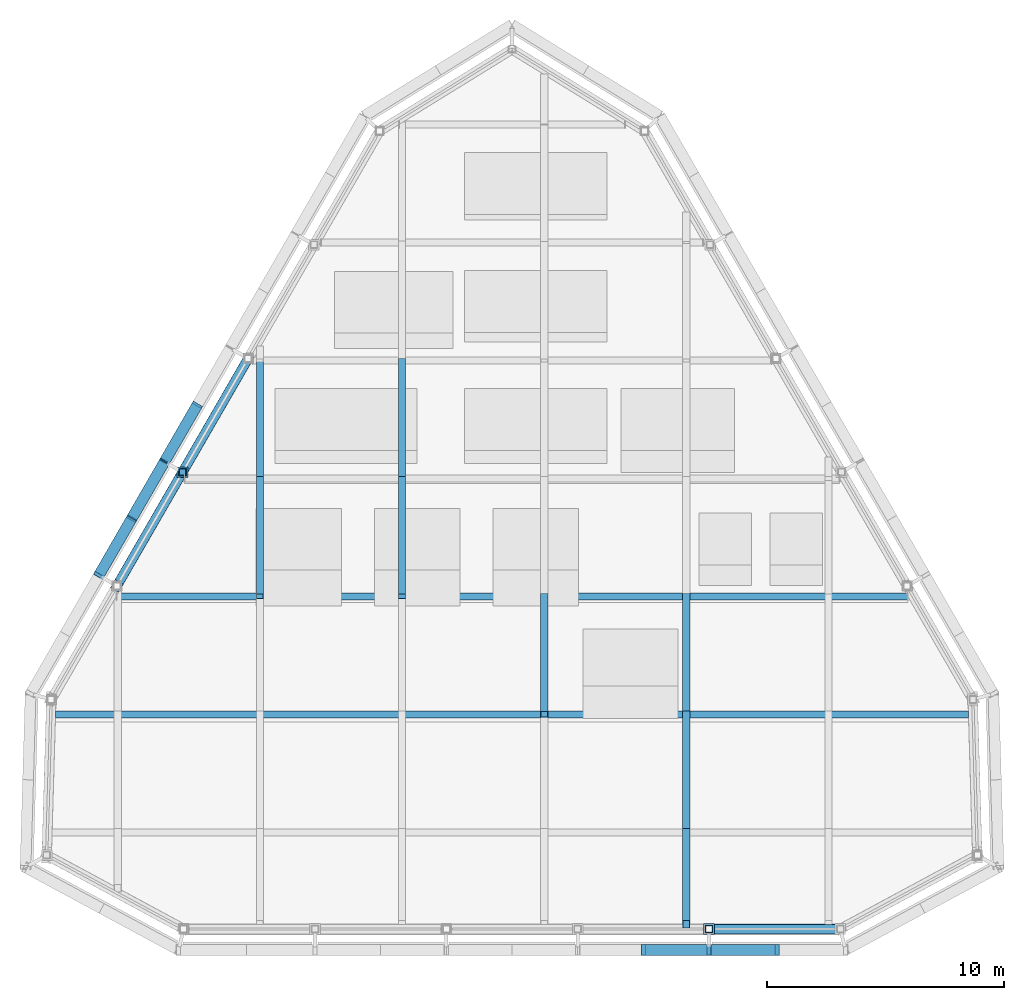
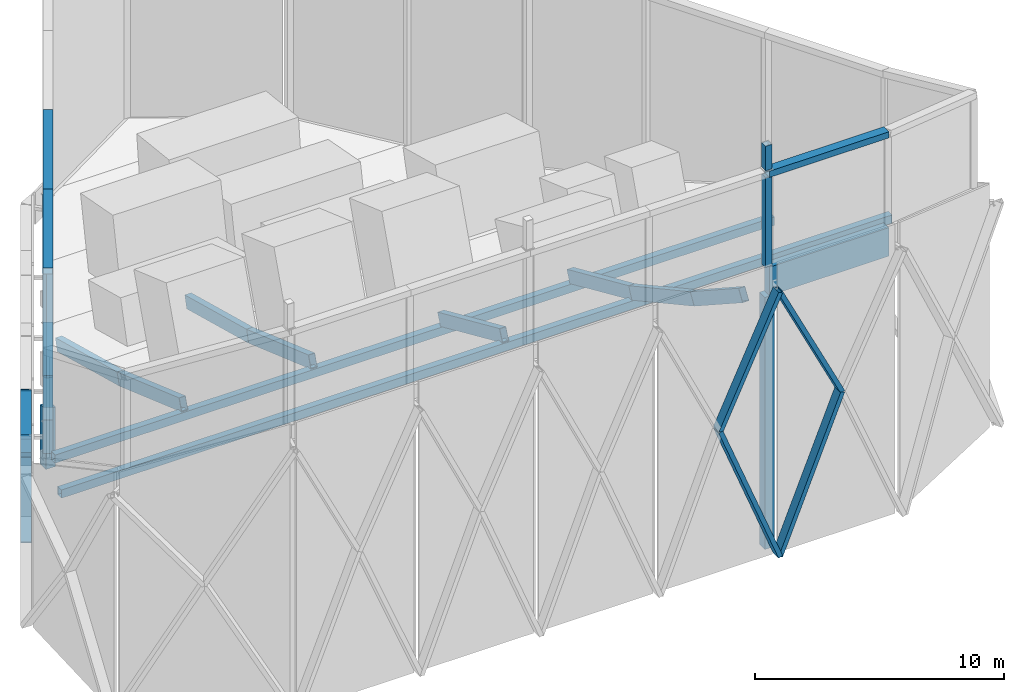
# One storey, part 2 of 13: 23 members, 8 beams.
"""IFC4 building model written with IfcOpenShell, lengths in metres."""

import ifcopenshell
import ifcopenshell.guid

model = None  # the IFC model being written
_history = None  # IfcOwnerHistory: only IFC2X3 demands one
_inside = {}  # id of a spatial element -> (the spatial element, [elements in it])
_under = {}  # id of a project, library or spatial element -> (it, [spatial elements below it])
_declared = {}  # id of a project -> (the project, [libraries it declares])
_typed = {}  # id of a type object -> (the type object, [elements of that type])
_made_of = {}  # id of a material, layer set ... -> (it, [elements and type objects made of it])


def new_model(schema):
    """Start an empty IFC model of exactly this schema.

    Asked for "IFC4X3", IfcOpenShell would pick the latest addendum, in which some entities
    have other attributes; the version numbers below select the first issue.
    IFC2X3 requires an IfcOwnerHistory on every rooted entity: one is made here for all.
    """
    global model, _history
    if schema == "IFC4X3":
        model = ifcopenshell.file(schema_version=(4, 3, 0, 0))
    else:
        model = ifcopenshell.file(schema=schema)
    _inside.clear()
    _under.clear()
    _declared.clear()
    _typed.clear()
    _made_of.clear()
    _history = None
    if model.schema == "IFC2X3":
        org = make("IfcOrganization", Name="unknown")
        user = make(
            "IfcPersonAndOrganization",
            ThePerson=make("IfcPerson", FamilyName="unknown"),
            TheOrganization=org,
        )
        app = make(
            "IfcApplication",
            ApplicationDeveloper=org,
            Version="unknown",
            ApplicationFullName="unknown",
            ApplicationIdentifier="unknown",
        )
        _history = make(
            "IfcOwnerHistory",
            OwningUser=user,
            OwningApplication=app,
            ChangeAction="ADDED",
            CreationDate=0,
        )
    return model


def make(cls, **values):
    """One entity of the class cls with the attributes given. An attribute that is None is left unset."""
    return model.create_entity(
        cls, **{name: value for name, value in values.items() if value is not None}
    )


def rooted(cls, **values):
    """An entity with a GlobalId (a new one), such as an element, a storey or a relation."""
    return make(cls, GlobalId=ifcopenshell.guid.new(), OwnerHistory=_history, **values)


def si_unit(unit_type, name, prefix=None):
    """IfcSIUnit, for example si_unit("LENGTHUNIT", "METRE", prefix="MILLI")."""
    return make("IfcSIUnit", UnitType=unit_type, Prefix=prefix, Name=name)


def assignment(units):
    """IfcUnitAssignment: the units of a project."""
    return None if units is None else make("IfcUnitAssignment", Units=units)


def point(xyz):
    """IfcCartesianPoint."""
    return None if xyz is None else make("IfcCartesianPoint", Coordinates=xyz)


def direction(xyz):
    """IfcDirection."""
    return None if xyz is None else make("IfcDirection", DirectionRatios=xyz)


def frame(location, z_axis=None, x_axis=None):
    """IfcAxis2Placement3D, a coordinate frame: its origin and axes. An axis left out is left unset."""
    return make(
        "IfcAxis2Placement3D",
        Location=point(location),
        Axis=direction(z_axis),
        RefDirection=direction(x_axis),
    )


def frame_2d(location, x_axis=None):
    """IfcAxis2Placement2D, a coordinate frame in the plane: its origin and x axis."""
    return make(
        "IfcAxis2Placement2D", Location=point(location), RefDirection=direction(x_axis)
    )


def origin():
    """The frame at (0, 0, 0) with its axes left unset."""
    return frame((0.0, 0.0, 0.0))


def origin_2d():
    """The frame at (0, 0) in the plane with its x axis left unset."""
    return frame_2d((0.0, 0.0))


def place(relative_to, where):
    """IfcLocalPlacement: puts the frame where relative to a parent placement (None: the world)."""
    return make(
        "IfcLocalPlacement", PlacementRelTo=relative_to, RelativePlacement=where
    )


def context(
    kind, dimensions, precision=None, world=None, true_north=None, identifier=None
):
    """IfcGeometricRepresentationContext, for example the 3D "Model" context."""
    return make(
        "IfcGeometricRepresentationContext",
        ContextIdentifier=identifier,
        ContextType=kind,
        CoordinateSpaceDimension=dimensions,
        Precision=precision,
        WorldCoordinateSystem=world,
        TrueNorth=true_north,
    )


def subcontext(parent, identifier, kind, view, scale=None):
    """IfcGeometricRepresentationSubContext, for example "Body" below "Model"."""
    return make(
        "IfcGeometricRepresentationSubContext",
        ContextIdentifier=identifier,
        ContextType=kind,
        ParentContext=parent,
        TargetScale=scale,
        TargetView=view,
    )


def project(units=None, contexts=None):
    """IfcProject with its units and contexts."""
    return rooted(
        "IfcProject",
        Name="project",
        RepresentationContexts=contexts,
        UnitsInContext=assignment(units),
    )


def spatial(cls, under=None, at=None, **own):
    """A site, building, storey or space (cls), placed at a placement, below another one or the project."""
    s = rooted(cls, ObjectPlacement=at, **own)
    if under is not None:
        _under.setdefault(under.id(), (under, []))[1].append(s)
    return s


def profile(cls, at=None, kind="AREA", **sizes):
    """A parametric profile (cls). Its sizes go by their IFC names, for example OverallWidth=200.0."""
    return make(cls, ProfileType=kind, Position=at, **sizes)


def rectangle(**sizes):
    """IfcRectangleProfileDef."""
    return profile("IfcRectangleProfileDef", **sizes)


def hollow_rectangle(**sizes):
    """IfcRectangleHollowProfileDef."""
    return profile("IfcRectangleHollowProfileDef", **sizes)


def extrude(swept, where, along, depth):
    """IfcExtrudedAreaSolid: the profile swept, set in the frame where, extruded along a direction by depth."""
    return make(
        "IfcExtrudedAreaSolid",
        SweptArea=swept,
        Position=where,
        ExtrudedDirection=direction(along),
        Depth=depth,
    )


def shape(context_of_items, identifier, shape_type, items):
    """IfcShapeRepresentation: the items that make up one representation, for example the "Body"."""
    return make(
        "IfcShapeRepresentation",
        ContextOfItems=context_of_items,
        RepresentationIdentifier=identifier,
        RepresentationType=shape_type,
        Items=items,
    )


def material(Name=None, Category=None):
    """IfcMaterial."""
    return make("IfcMaterial", Name=Name, Category=Category)


def material_profile(
    of_material, cross_section, Name=None, Category=None, Priority=None
):
    """IfcMaterialProfile: a cross section and its material."""
    return make(
        "IfcMaterialProfile",
        Name=Name,
        Material=of_material,
        Profile=cross_section,
        Priority=Priority,
        Category=Category,
    )


def profile_set(profiles, Name=None, composite=None):
    """IfcMaterialProfileSet."""
    return make(
        "IfcMaterialProfileSet",
        Name=Name,
        MaterialProfiles=profiles,
        CompositeProfile=composite,
    )


def made_of(thing, what):
    """Note that an element or type object is made of a material, layer set ...; save() writes the relation."""
    if what is not None:
        _made_of.setdefault(what.id(), (what, []))[1].append(thing)
    return thing


def type_object(cls, material=None, **own):
    """A type object (cls), such as IfcWallType, which elements share."""
    return made_of(rooted(cls, **own), material)


def element(
    cls,
    number,
    at=None,
    inside=None,
    cuts=None,
    type_object=None,
    material=None,
    context=None,
    identifier="Body",
    shape_type=None,
    held_by="IfcProductDefinitionShape",
    body=None,
    shapes=None,
    **own,
):
    """One element of the class cls, such as IfcWall. Its Tag is "e" and its number.

    at: its placement. inside: the storey or other place that contains it. cuts: it is an
    opening in that element (IfcRelVoidsElement). A single representation is given by context,
    identifier, shape_type and body (its items); several are given by shapes. held_by: the class
    of the entity that holds the representations. save() writes the other relations.
    """
    e = rooted(cls, Tag="e%d" % number, ObjectPlacement=at, **own)
    if body is not None:
        shapes = [shape(context, identifier, shape_type, body)]
    if shapes is not None:
        e.Representation = make(held_by, Representations=shapes)
    if inside is not None:
        _inside.setdefault(inside.id(), (inside, []))[1].append(e)
    if cuts is not None:
        rooted(
            "IfcRelVoidsElement", RelatingBuildingElement=cuts, RelatedOpeningElement=e
        )
    if type_object is not None:
        _typed.setdefault(type_object.id(), (type_object, []))[1].append(e)
    return made_of(e, material)


def aggregate(whole, parts):
    """IfcRelAggregates: a whole, such as a stair, and the parts it consists of."""
    return rooted("IfcRelAggregates", RelatingObject=whole, RelatedObjects=parts)


def save(model, path):
    """Write the relations noted so far, then the file.

    IfcRelAggregates (storeys below a building ...), IfcRelContainedInSpatialStructure (elements
    in a storey), IfcRelDefinesByType, IfcRelAssociatesMaterial and IfcRelDeclares: one each for
    every whole, place, type object, material and project.
    """
    for whole, parts in _under.values():
        aggregate(whole, parts)
    for where, things in _inside.values():
        rooted(
            "IfcRelContainedInSpatialStructure",
            RelatedElements=things,
            RelatingStructure=where,
        )
    for kind, things in _typed.values():
        rooted("IfcRelDefinesByType", RelatedObjects=things, RelatingType=kind)
    for what, things in _made_of.values():
        rooted("IfcRelAssociatesMaterial", RelatedObjects=things, RelatingMaterial=what)
    for by, libraries in _declared.values():
        rooted("IfcRelDeclares", RelatingContext=by, RelatedDefinitions=libraries)
    model.write(path)


model = new_model("IFC4")

# Units and contexts
model_context = context("Model", 3, precision=1e-05, world=origin(), true_north=direction((0.0, 1.0)))
body_context = subcontext(model_context, "Body", "Model", "MODEL_VIEW")
ifc_project = project(units=[si_unit("LENGTHUNIT", "METRE"), si_unit("AREAUNIT", "SQUARE_METRE"), si_unit("VOLUMEUNIT", "CUBIC_METRE"), si_unit("PLANEANGLEUNIT", "RADIAN"), si_unit("MASSUNIT", "GRAM", prefix="KILO")], contexts=[model_context])

# Site, building, storey
site_placement = place(None, origin())
site = spatial("IfcSite", under=ifc_project, at=site_placement, CompositionType="ELEMENT")
building_placement = place(site_placement, origin())
building = spatial("IfcBuilding", under=site, at=building_placement, Name="Firuza Gate Tower and Library", CompositionType="ELEMENT")
storey_placement = place(building_placement, frame((0.0, 0.0, 358.0)))
storey = spatial("IfcBuildingStorey", under=building, at=storey_placement, Name="Upper roof", CompositionType="ELEMENT", Elevation=358.0)

# Beams
ifc_material_1 = material(Name="Steel S355", Category="steel")
ifc_material_profile_1 = material_profile(ifc_material_1, hollow_rectangle(XDim=0.406494140625, YDim=0.3046875, WallThickness=0.01171875, at=origin_2d()))
ifc_profile_set_1 = profile_set([ifc_material_profile_1], Name="Steel S355")
beam_type_1 = type_object("IfcBeamType", Name="Crest cap beam HSS305x406x13", PredefinedType="BEAM", material=ifc_profile_set_1)
for number, where, z_axis, x_axis, name in (
    (1, (83.314208984375, 60.54248046875, 17.90625), (1.0, 0.0, 0.0), (0.0, 1.0, 0.0), "Crest cap beam 7"),
    (2, (63.865234375, 84.62890625, 13.00634765625), (-0.500004591975, -0.86602275259, 0.0), (0.86602275259, -0.500004591975, 0.0), "Crest cap beam 19"),
    (3, (61.09375, 79.82861328125, 13.00634765625), (-0.500004591975, -0.86602275259, 0.0), (0.86602275259, -0.500004591975, 0.0), "Crest cap beam 20"),
):
    element("IfcBeam", number, at=place(storey_placement, frame(where, z_axis=z_axis, x_axis=x_axis)), inside=storey, type_object=beam_type_1, Name=name, PredefinedType="BEAM", context=body_context, shape_type="SweptSolid", body=[
        extrude(hollow_rectangle(XDim=0.406494140625, YDim=0.3046875, WallThickness=0.01171875, at=origin_2d()), origin(), (0.0, 0.0, 1.0), 5.54296875),
    ])

# Members
ifc_material_2 = material(Name="Steel S355", Category="steel")
ifc_material_profile_2 = material_profile(ifc_material_2, hollow_rectangle(XDim=0.3046875, YDim=0.3046875, WallThickness=0.014892578125, at=origin_2d()))
ifc_profile_set_2 = profile_set([ifc_material_profile_2], Name="Steel S355")
member_type_1 = type_object("IfcMemberType", Name="Crest post HSS305x305x16", PredefinedType="POST", material=ifc_profile_set_2)
member_1_placement = place(storey_placement, frame((83.314208984375, 60.54248046875, 13.353759765625), z_axis=(0.0, 0.0, 1.0), x_axis=(1.0, 0.0, 0.0)))
element("IfcMember", 4, at=member_1_placement, inside=storey, type_object=member_type_1, Name="Crest post 7", PredefinedType="POST", context=body_context, shape_type="SweptSolid", body=[
    extrude(hollow_rectangle(XDim=0.3046875, YDim=0.3046875, WallThickness=0.014892578125, at=origin_2d()), origin(), (0.0, 0.0, 1.0), 4.405029296875),
])
member_2_placement = place(storey_placement, frame((61.09375, 79.82861328125, 3.922119140625), z_axis=(0.0, 0.0, 1.0), x_axis=(1.0, 0.0, 0.0)))
element("IfcMember", 5, at=member_2_placement, inside=storey, type_object=member_type_1, Name="Crest post 20", PredefinedType="POST", context=body_context, shape_type="SweptSolid", body=[
    extrude(hollow_rectangle(XDim=0.3046875, YDim=0.3046875, WallThickness=0.014892578125, at=origin_2d()), origin(), (0.0, 0.0, 1.0), 8.936767578125),
])
ifc_material_3 = material(Name="Steel S355", Category="steel")
ifc_material_profile_3 = material_profile(ifc_material_3, hollow_rectangle(XDim=0.457275390625, YDim=0.203125, WallThickness=0.01171875, at=origin_2d()))
ifc_profile_set_3 = profile_set([ifc_material_profile_3], Name="Steel S355")
member_type_2 = type_object("IfcMemberType", Name="Crown lattice bar HSS203x457x13", PredefinedType="BRACE", material=ifc_profile_set_3)
member_3_placement = place(storey_placement, frame((80.54296875, 59.663818359375, 6.779541015625), z_axis=(0.364509528919, 0.0, -0.931199658144), x_axis=(0.0, 1.0, 0.0)))
element("IfcMember", 6, at=member_3_placement, inside=storey, type_object=member_type_2, Name="Crown lattice band bar 6.1b", PredefinedType="BRACE", context=body_context, shape_type="SweptSolid", body=[
    extrude(hollow_rectangle(XDim=0.457275390625, YDim=0.203125, WallThickness=0.01171875, at=origin_2d()), origin(), (0.0, 0.0, 1.0), 7.6025390625),
])
member_4_placement = place(storey_placement, frame((80.54296875, 59.663818359375, 6.779541015625), z_axis=(0.426663925533, 0.0, 0.904410246873), x_axis=(0.0, 1.0, 0.0)))
element("IfcMember", 7, at=member_4_placement, inside=storey, type_object=member_type_2, Name="Crown lattice band bar 6.2b", PredefinedType="BRACE", context=body_context, shape_type="SweptSolid", body=[
    extrude(hollow_rectangle(XDim=0.457275390625, YDim=0.203125, WallThickness=0.01171875, at=origin_2d()), origin(), (0.0, 0.0, 1.0), 6.4951171875),
])
member_5_placement = place(storey_placement, frame((83.314208984375, 59.663818359375, -0.300048828125), z_axis=(0.377077734206, 0.0, 0.926181614137), x_axis=(0.0, 1.0, 0.0)))
element("IfcMember", 8, at=member_5_placement, inside=storey, type_object=member_type_2, Name="Crown lattice band bar 7.1a", PredefinedType="BRACE", context=body_context, shape_type="SweptSolid", body=[
    extrude(hollow_rectangle(XDim=0.457275390625, YDim=0.203125, WallThickness=0.01171875, at=origin_2d()), origin(), (0.0, 0.0, 1.0), 7.643798828125),
])
member_6_placement = place(storey_placement, frame((83.314208984375, 59.663818359375, 12.65380859375), z_axis=(0.440499893541, 0.0, -0.897752662926), x_axis=(0.0, 1.0, 0.0)))
element("IfcMember", 9, at=member_6_placement, inside=storey, type_object=member_type_2, Name="Crown lattice band bar 7.2a", PredefinedType="BRACE", context=body_context, shape_type="SweptSolid", body=[
    extrude(hollow_rectangle(XDim=0.457275390625, YDim=0.203125, WallThickness=0.01171875, at=origin_2d()), origin(), (0.0, 0.0, 1.0), 6.543212890625),
])
member_7_placement = place(storey_placement, frame((61.718505859375, 82.66796875, 1.2431640625), z_axis=(-0.436847339757, -0.756632522401, -0.486489082911), x_axis=(0.86602275259, -0.500004591975, 0.0)))
element("IfcMember", 10, at=member_7_placement, inside=storey, type_object=member_type_2, Name="Crown lattice band bar 19.1b", PredefinedType="BRACE", context=body_context, shape_type="SweptSolid", body=[
    extrude(hollow_rectangle(XDim=0.457275390625, YDim=0.203125, WallThickness=0.01171875, at=origin_2d()), origin(), (0.0, 0.0, 1.0), 3.172119140625),
])
member_8_placement = place(storey_placement, frame((61.718505859375, 82.66796875, 1.2431640625), z_axis=(-0.406912801117, -0.704785015466, 0.581119655718), x_axis=(0.86602275259, -0.500004591975, 0.0)))
element("IfcMember", 11, at=member_8_placement, inside=storey, type_object=member_type_2, Name="Crown lattice band bar 19.2b", PredefinedType="BRACE", context=body_context, shape_type="SweptSolid", body=[
    extrude(hollow_rectangle(XDim=0.457275390625, YDim=0.203125, WallThickness=0.01171875, at=origin_2d()), origin(), (0.0, 0.0, 1.0), 3.405517578125),
])
member_9_placement = place(storey_placement, frame((60.332763671875, 80.267822265625, -0.300048828125), z_axis=(-0.381472394954, -0.660654271036, 0.646540598918), x_axis=(0.866000726912, -0.500042739161, 0.0)))
element("IfcMember", 12, at=member_9_placement, inside=storey, type_object=member_type_2, Name="Crown lattice band bar 20.1a", PredefinedType="BRACE", context=body_context, shape_type="SweptSolid", body=[
    extrude(hollow_rectangle(XDim=0.457275390625, YDim=0.203125, WallThickness=0.01171875, at=origin_2d()), origin(), (0.0, 0.0, 1.0), 3.632568359375),
])
member_10_placement = place(storey_placement, frame((58.947021484375, 77.867919921875, 2.048583984375), z_axis=(-0.381455457378, -0.660692142616, -0.646511892174), x_axis=(0.86602275259, -0.500004591975, 0.0)))
element("IfcMember", 13, at=member_10_placement, inside=storey, type_object=member_type_2, Name="Crown lattice band bar 20.1b", PredefinedType="BRACE", context=body_context, shape_type="SweptSolid", body=[
    extrude(hollow_rectangle(XDim=0.457275390625, YDim=0.203125, WallThickness=0.01171875, at=origin_2d()), origin(), (0.0, 0.0, 1.0), 3.6328125),
])
member_11_placement = place(storey_placement, frame((60.332763671875, 80.267822265625, 3.22216796875), z_axis=(-0.46045539814, -0.797441255059, -0.389959319742), x_axis=(0.866000726912, -0.500042739161, 0.0)))
element("IfcMember", 14, at=member_11_placement, inside=storey, type_object=member_type_2, Name="Crown lattice band bar 20.2a", PredefinedType="BRACE", context=body_context, shape_type="SweptSolid", body=[
    extrude(hollow_rectangle(XDim=0.457275390625, YDim=0.203125, WallThickness=0.01171875, at=origin_2d()), origin(), (0.0, 0.0, 1.0), 3.009521484375),
])
member_12_placement = place(storey_placement, frame((58.947021484375, 77.867919921875, 2.048583984375), z_axis=(-0.349652753828, -0.60560891876, 0.714829202858), x_axis=(0.86602275259, -0.500004591975, 0.0)))
element("IfcMember", 15, at=member_12_placement, inside=storey, type_object=member_type_2, Name="Crown lattice band bar 20.2b", PredefinedType="BRACE", context=body_context, shape_type="SweptSolid", body=[
    extrude(hollow_rectangle(XDim=0.457275390625, YDim=0.203125, WallThickness=0.01171875, at=origin_2d()), origin(), (0.0, 0.0, 1.0), 3.963134765625),
])

# Beams
ifc_material_4 = material(Name="Concrete C60/75", Category="concrete")
ifc_material_profile_4 = material_profile(ifc_material_4, rectangle(XDim=0.39990234375, YDim=1.39990234375, at=origin_2d()))
ifc_profile_set_4 = profile_set([ifc_material_profile_4], Name="Concrete C60/75")
beam_type_2 = type_object("IfcBeamType", Name="Crown roof edge beam 400x1400", PredefinedType="BEAM", material=ifc_profile_set_4)
beam_1_placement = place(storey_placement, frame((83.314208984375, 60.54248046875, 12.65380859375), z_axis=(1.0, 0.0, 0.0), x_axis=(0.0, 1.0, 0.0)))
element("IfcBeam", 16, at=beam_1_placement, inside=storey, type_object=beam_type_2, Name="Crown roof edge beam 7", PredefinedType="BEAM", context=body_context, shape_type="SweptSolid", body=[
    extrude(rectangle(XDim=0.39990234375, YDim=1.39990234375, at=origin_2d()), origin(), (0.0, 0.0, 1.0), 5.54296875),
])
beam_2_placement = place(storey_placement, frame((63.865234375, 84.62890625, 1.952880859375), z_axis=(-0.487389101667, -0.84417234998, 0.223214934775), x_axis=(0.86602275259, -0.500004591975, 0.0)))
element("IfcBeam", 17, at=beam_2_placement, inside=storey, type_object=beam_type_2, Name="Crown roof edge beam 19", PredefinedType="BEAM", context=body_context, shape_type="SweptSolid", body=[
    extrude(rectangle(XDim=0.39990234375, YDim=1.39990234375, at=origin_2d()), origin(), (0.0, 0.0, 1.0), 5.686279296875),
])
beam_3_placement = place(storey_placement, frame((61.09375, 79.82861328125, 3.22216796875), z_axis=(-0.478999555056, -0.829641406934, 0.286800561638), x_axis=(0.86602275259, -0.500004591975, 0.0)))
element("IfcBeam", 18, at=beam_3_placement, inside=storey, type_object=beam_type_2, Name="Crown roof edge beam 20", PredefinedType="BEAM", context=body_context, shape_type="SweptSolid", body=[
    extrude(rectangle(XDim=0.39990234375, YDim=1.39990234375, at=origin_2d()), origin(), (0.0, 0.0, 1.0), 5.785888671875),
])

# Members
ifc_material_5 = material(Name="Concrete C60/75", Category="concrete")
ifc_material_profile_5 = material_profile(ifc_material_5, rectangle(XDim=0.449951171875, YDim=0.449951171875, at=origin_2d()))
ifc_profile_set_5 = profile_set([ifc_material_profile_5], Name="Concrete C60/75")
member_type_3 = type_object("IfcMemberType", Name="Crown roof post 450x450", PredefinedType="POST", material=ifc_profile_set_5)
member_13_placement = place(storey_placement, frame((83.314208984375, 60.54248046875, -0.39990234375), z_axis=(0.0, 0.0, 1.0), x_axis=(1.0, 0.0, 0.0)))
element("IfcMember", 19, at=member_13_placement, inside=storey, type_object=member_type_3, Name="Crown roof post 7", PredefinedType="POST", context=body_context, shape_type="SweptSolid", body=[
    extrude(rectangle(XDim=0.449951171875, YDim=0.449951171875, at=origin_2d()), origin(), (0.0, 0.0, 1.0), 12.353759765625),
])
member_14_placement = place(storey_placement, frame((61.09375, 79.82861328125, -0.39990234375), z_axis=(0.0, 0.0, 1.0), x_axis=(1.0, 0.0, 0.0)))
element("IfcMember", 20, at=member_14_placement, inside=storey, type_object=member_type_3, Name="Crown roof post 20", PredefinedType="POST", context=body_context, shape_type="SweptSolid", body=[
    extrude(rectangle(XDim=0.449951171875, YDim=0.449951171875, at=origin_2d()), origin(), (0.0, 0.0, 1.0), 2.921875),
])
ifc_material_6 = material(Name="Steel S355", Category="steel")
ifc_material_profile_6 = material_profile(ifc_material_6, hollow_rectangle(XDim=0.3046875, YDim=0.3046875, WallThickness=0.014892578125, at=origin_2d()))
ifc_profile_set_6 = profile_set([ifc_material_profile_6], Name="Steel S355")
member_type_4 = type_object("IfcMemberType", Name="Finial mast HSS305x305x16", PredefinedType="POST", material=ifc_profile_set_6)
member_15_placement = place(storey_placement, frame((83.314208984375, 60.54248046875, 18.0986328125), z_axis=(0.0, 0.0, 1.0), x_axis=(1.0, 0.0, 0.0)))
element("IfcMember", 21, at=member_15_placement, inside=storey, type_object=member_type_4, Name="Finial mast 7", PredefinedType="POST", context=body_context, shape_type="SweptSolid", body=[
    extrude(hollow_rectangle(XDim=0.3046875, YDim=0.3046875, WallThickness=0.014892578125, at=origin_2d()), origin(), (0.0, 0.0, 1.0), 1.199951171875),
])

# Beams
ifc_material_7 = material(Name="Steel S355", Category="steel")
ifc_material_profile_7 = material_profile(ifc_material_7, hollow_rectangle(XDim=0.3046875, YDim=0.406494140625, WallThickness=0.01171875, at=origin_2d()))
ifc_profile_set_7 = profile_set([ifc_material_profile_7], Name="Steel S355")
beam_type_3 = type_object("IfcBeamType", Name="Roof arc girder HSS406x305x13", PredefinedType="BEAM", material=ifc_profile_set_7)
beam_4_placement = place(storey_placement, frame((55.732666015625, 69.601806640625, 6.35546875), z_axis=(1.0, 0.0, 0.0), x_axis=(0.0, 1.0, 0.0)))
element("IfcBeam", 22, at=beam_4_placement, inside=storey, type_object=beam_type_3, Name="Roof arc girder 3", PredefinedType="BEAM", context=body_context, shape_type="SweptSolid", body=[
    extrude(hollow_rectangle(XDim=0.3046875, YDim=0.406494140625, WallThickness=0.01171875, at=origin_2d()), origin(), (0.0, 0.0, 1.0), 38.53466796875),
])
beam_5_placement = place(storey_placement, frame((58.315185546875, 74.58154296875, 4.14404296875), z_axis=(1.0, 0.0, 0.0), x_axis=(0.0, 1.0, 0.0)))
element("IfcBeam", 23, at=beam_5_placement, inside=storey, type_object=beam_type_3, Name="Roof arc girder 4", PredefinedType="BEAM", context=body_context, shape_type="SweptSolid", body=[
    extrude(hollow_rectangle(XDim=0.3046875, YDim=0.406494140625, WallThickness=0.01171875, at=origin_2d()), origin(), (0.0, 0.0, 1.0), 33.36962890625),
])

# Members
ifc_material_8 = material(Name="Steel S355", Category="steel")
ifc_material_profile_8 = material_profile(ifc_material_8, hollow_rectangle(XDim=0.3046875, YDim=0.609619140625, WallThickness=0.01171875, at=origin_2d()))
ifc_profile_set_8 = profile_set([ifc_material_profile_8], Name="Steel S355")
member_type_5 = type_object("IfcMemberType", Name="Roof arc rib HSS610x305x13", PredefinedType="USERDEFINED", material=ifc_profile_set_8)
member_16_placement = place(storey_placement, frame((64.35888671875, 74.58154296875, 4.652099609375), z_axis=(0.0, 0.943259823343, -0.332055576172), x_axis=(-1.0, 0.0, 0.0)))
element("IfcMember", 24, at=member_16_placement, inside=storey, type_object=member_type_5, Name="Roof arc rib 2", ObjectType="ARCH RIB", PredefinedType="USERDEFINED", context=body_context, shape_type="SweptSolid", body=[
    extrude(hollow_rectangle(XDim=0.3046875, YDim=0.609619140625, WallThickness=0.01171875, at=origin_2d()), origin(), (0.0, 0.0, 1.0), 5.279052734375),
])
member_17_placement = place(storey_placement, frame((64.35888671875, 79.56103515625, 2.899169921875), z_axis=(0.0, 0.966083837868, -0.258228616172), x_axis=(-1.0, 0.0, 0.0)))
element("IfcMember", 25, at=member_17_placement, inside=storey, type_object=member_type_5, Name="Roof arc rib 2", ObjectType="ARCH RIB", PredefinedType="USERDEFINED", context=body_context, shape_type="SweptSolid", body=[
    extrude(hollow_rectangle(XDim=0.3046875, YDim=0.609619140625, WallThickness=0.01171875, at=origin_2d()), origin(), (0.0, 0.0, 1.0), 5.154541015625),
])
member_18_placement = place(storey_placement, frame((70.35888671875, 74.58154296875, 4.652099609375), z_axis=(0.0, 0.943259823343, -0.332055576172), x_axis=(-1.0, 0.0, 0.0)))
element("IfcMember", 26, at=member_18_placement, inside=storey, type_object=member_type_5, Name="Roof arc rib 3", ObjectType="ARCH RIB", PredefinedType="USERDEFINED", context=body_context, shape_type="SweptSolid", body=[
    extrude(hollow_rectangle(XDim=0.3046875, YDim=0.609619140625, WallThickness=0.01171875, at=origin_2d()), origin(), (0.0, 0.0, 1.0), 5.279052734375),
])
member_19_placement = place(storey_placement, frame((70.35888671875, 79.56103515625, 2.899169921875), z_axis=(0.0, 0.966083837868, -0.258228616172), x_axis=(-1.0, 0.0, 0.0)))
element("IfcMember", 27, at=member_19_placement, inside=storey, type_object=member_type_5, Name="Roof arc rib 3", ObjectType="ARCH RIB", PredefinedType="USERDEFINED", context=body_context, shape_type="SweptSolid", body=[
    extrude(hollow_rectangle(XDim=0.3046875, YDim=0.609619140625, WallThickness=0.01171875, at=origin_2d()), origin(), (0.0, 0.0, 1.0), 5.154541015625),
])
member_20_placement = place(storey_placement, frame((76.35888671875, 69.601806640625, 6.86328125), z_axis=(0.0, 0.913950077064, -0.405826633719), x_axis=(-1.0, 0.0, 0.0)))
element("IfcMember", 28, at=member_20_placement, inside=storey, type_object=member_type_5, Name="Roof arc rib 4", ObjectType="ARCH RIB", PredefinedType="USERDEFINED", context=body_context, shape_type="SweptSolid", body=[
    extrude(hollow_rectangle(XDim=0.3046875, YDim=0.609619140625, WallThickness=0.01171875, at=origin_2d()), origin(), (0.0, 0.0, 1.0), 5.448486328125),
])
member_21_placement = place(storey_placement, frame((82.35888671875, 60.742431640625, 12.1083984375), z_axis=(0.0, 0.838350793803, -0.545131127831), x_axis=(-1.0, 0.0, 0.0)))
element("IfcMember", 29, at=member_21_placement, inside=storey, type_object=member_type_5, Name="Roof arc rib 5", ObjectType="ARCH RIB", PredefinedType="USERDEFINED", context=body_context, shape_type="SweptSolid", body=[
    extrude(hollow_rectangle(XDim=0.3046875, YDim=0.609619140625, WallThickness=0.01171875, at=origin_2d()), origin(), (0.0, 0.0, 1.0), 4.627685546875),
])
member_22_placement = place(storey_placement, frame((82.35888671875, 64.6220703125, 9.585693359375), z_axis=(0.0, 0.877436495041, -0.479692815424), x_axis=(-1.0, 0.0, 0.0)))
element("IfcMember", 30, at=member_22_placement, inside=storey, type_object=member_type_5, Name="Roof arc rib 5", ObjectType="ARCH RIB", PredefinedType="USERDEFINED", context=body_context, shape_type="SweptSolid", body=[
    extrude(hollow_rectangle(XDim=0.3046875, YDim=0.609619140625, WallThickness=0.01171875, at=origin_2d()), origin(), (0.0, 0.0, 1.0), 5.67529296875),
])
member_23_placement = place(storey_placement, frame((82.35888671875, 69.601806640625, 6.86328125), z_axis=(0.0, 0.913950077064, -0.405826633719), x_axis=(-1.0, 0.0, 0.0)))
element("IfcMember", 31, at=member_23_placement, inside=storey, type_object=member_type_5, Name="Roof arc rib 5", ObjectType="ARCH RIB", PredefinedType="USERDEFINED", context=body_context, shape_type="SweptSolid", body=[
    extrude(hollow_rectangle(XDim=0.3046875, YDim=0.609619140625, WallThickness=0.01171875, at=origin_2d()), origin(), (0.0, 0.0, 1.0), 5.448486328125),
])

save(model, "model.ifc")
